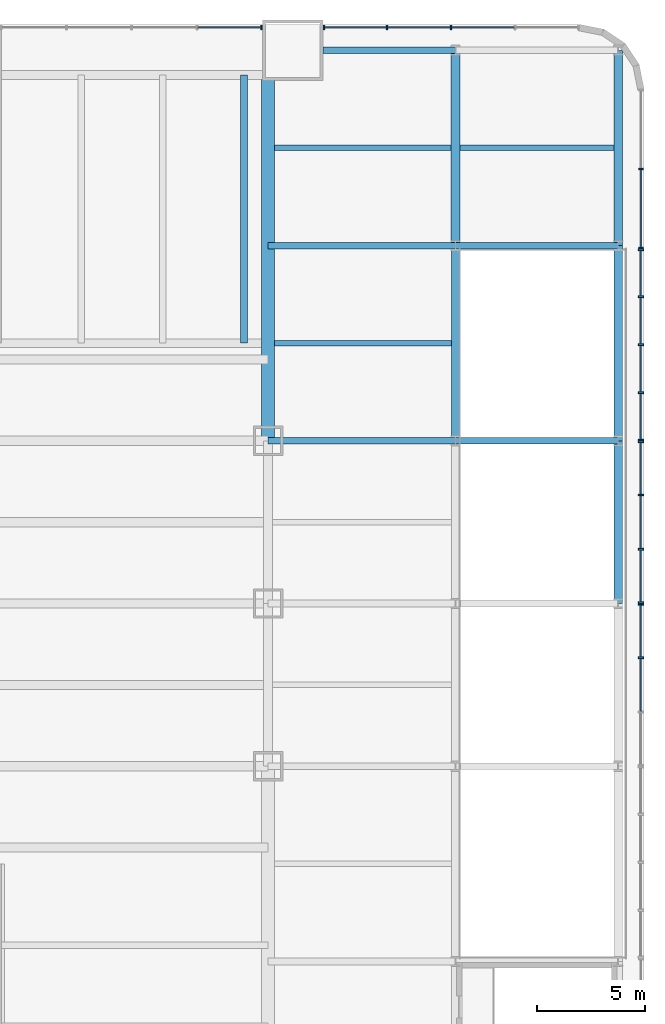
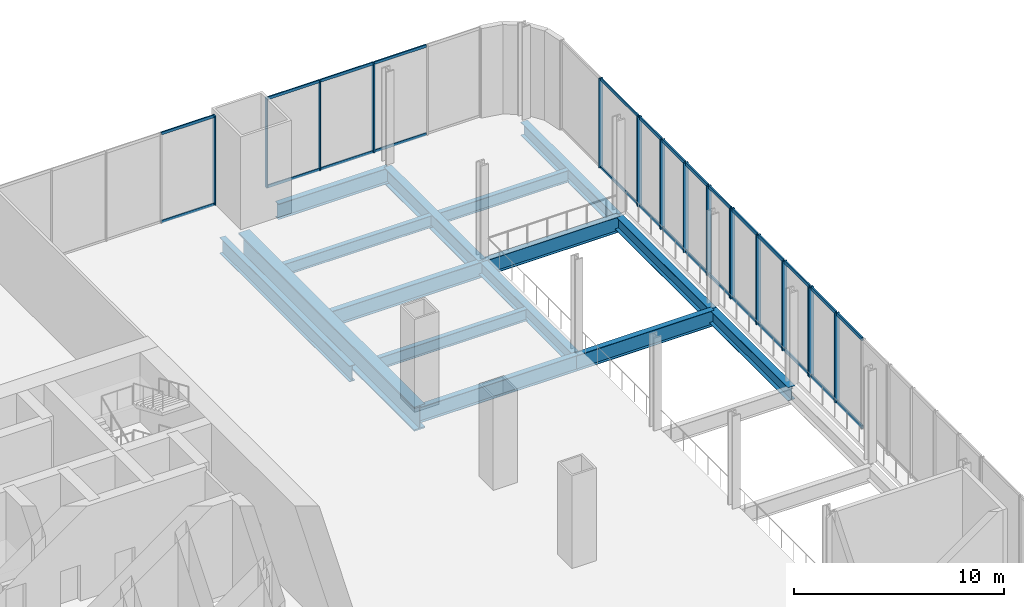
# One storey, part 10 of 17: 45 members, 15 beams, 6 elements without a shape of their own.
"""IFC4 building model written with IfcOpenShell, lengths in metres."""

from ifc_helpers import new_model, si_unit, direction, frame, origin, origin_2d, place, context, subcontext, project, spatial, rectangle, i_section, extrude, material, material_profile, profile_set, type_object, element, aggregate, save


model = new_model("IFC4")

# Units and contexts
model_context = context("Model", 3, precision=1e-05, world=origin(), true_north=direction((0.0, 1.0)))
body_context = subcontext(model_context, "Body", "Model", "MODEL_VIEW")
ifc_project = project(units=[si_unit("LENGTHUNIT", "METRE"), si_unit("AREAUNIT", "SQUARE_METRE"), si_unit("VOLUMEUNIT", "CUBIC_METRE"), si_unit("PLANEANGLEUNIT", "RADIAN"), si_unit("MASSUNIT", "GRAM", prefix="KILO")], contexts=[model_context])

# Site, building, storey
site_placement = place(None, origin())
site = spatial("IfcSite", under=ifc_project, at=site_placement, CompositionType="ELEMENT")
building_placement = place(site_placement, origin())
building = spatial("IfcBuilding", under=site, at=building_placement, Name="Tarangal Relay Tower", CompositionType="ELEMENT")
storey_placement = place(building_placement, frame((0.0, 0.0, 18.0)))
storey = spatial("IfcBuildingStorey", under=building, at=storey_placement, Name="L03", CompositionType="ELEMENT", Elevation=18.0)

# Beam
ifc_material_1 = material(Name="Steel ASTM A992", Category="steel")
ifc_material_profile_1 = material_profile(ifc_material_1, i_section(OverallWidth=0.307373046875, OverallDepth=0.927001953125, WebThickness=0.019287109375, FlangeThickness=0.031982421875, at=origin_2d()), Name="W36X194")
ifc_profile_set_1 = profile_set([ifc_material_profile_1], Name="Steel ASTM A992")
beam_type_1 = type_object("IfcBeamType", Name="Corner beam W36X194", PredefinedType="JOIST", material=ifc_profile_set_1)
beam_1_placement = place(storey_placement, frame((23.25, 12.0, -0.713623046875), z_axis=(0.0, 1.0, 0.0), x_axis=(-1.0, 0.0, 0.0)))
element("IfcBeam", 1, at=beam_1_placement, inside=storey, type_object=beam_type_1, Name="Corner beam CB10 N L03", PredefinedType="JOIST", context=body_context, shape_type="SweptSolid", body=[
    extrude(i_section(OverallWidth=0.307373046875, OverallDepth=0.927001953125, WebThickness=0.019287109375, FlangeThickness=0.031982421875, at=origin_2d()), origin(), (0.0, 0.0, 1.0), 12.364990234375),
])

# Curtain wall, members
ifc_material_2 = material(Name="Unitised curtain wall, dark glass and black aluminium", Category="aluminium")
curtain_wall_type_1 = type_object("IfcCurtainWallType", Name="Curtain wall CW-P", PredefinedType="USERDEFINED", material=ifc_material_2)
curtain_wall_1_placement = place(storey_placement, origin())
curtain_wall_1 = element("IfcCurtainWall", 2, at=curtain_wall_1_placement, inside=storey, type_object=curtain_wall_type_1, Name="Curtain wall CW-P Podium N facade L03", ObjectType="UNITISED CURTAIN WALL", PredefinedType="USERDEFINED")
ifc_material_3 = material(Name="Black anodised aluminium mullion", Category="aluminium")
ifc_material_profile_2 = material_profile(ifc_material_3, rectangle(XDim=0.199951171875, YDim=0.070068359375, at=origin_2d()), Name="CW-PM 70X200")
ifc_profile_set_2 = profile_set([ifc_material_profile_2], Name="Black anodised aluminium mullion")
member_type_1 = type_object("IfcMemberType", Name="Mullion CW-P 70 x 200", PredefinedType="MULLION", material=ifc_profile_set_2)
member_1_placement = place(storey_placement, frame((32.800048828125, 26.550048828125, 0.0), z_axis=(0.0, 0.0, 1.0), x_axis=(0.0, -1.0, 0.0)))
member_1 = element("IfcMember", 3, at=member_1_placement, type_object=member_type_1, Name="CW-P mullion 3", PredefinedType="MULLION", context=body_context, shape_type="SweptSolid", body=[
    extrude(rectangle(XDim=0.199951171875, YDim=0.070068359375, at=origin_2d()), origin(), (0.0, 0.0, 1.0), 5.199951171875),
])
member_2_placement = place(storey_placement, frame((29.85009765625, 26.550048828125, 0.0), z_axis=(0.0, 0.0, 1.0), x_axis=(0.0, -1.0, 0.0)))
member_2 = element("IfcMember", 4, at=member_2_placement, type_object=member_type_1, Name="CW-P mullion 4", PredefinedType="MULLION", context=body_context, shape_type="SweptSolid", body=[
    extrude(rectangle(XDim=0.199951171875, YDim=0.070068359375, at=origin_2d()), origin(), (0.0, 0.0, 1.0), 5.199951171875),
])
member_3_placement = place(storey_placement, frame((26.93505859375, 26.550048828125, 0.0), z_axis=(0.0, 0.0, 1.0), x_axis=(0.0, -1.0, 0.0)))
member_3 = element("IfcMember", 5, at=member_3_placement, type_object=member_type_1, Name="CW-P mullion 5", PredefinedType="MULLION", context=body_context, shape_type="SweptSolid", body=[
    extrude(rectangle(XDim=0.199951171875, YDim=0.070068359375, at=origin_2d()), origin(), (0.0, 0.0, 1.0), 5.199951171875),
])

# Curtain wall, member
curtain_wall_2_placement = place(storey_placement, origin())
curtain_wall_2 = element("IfcCurtainWall", 6, at=curtain_wall_2_placement, inside=storey, type_object=curtain_wall_type_1, Name="Curtain wall CW-P Podium N facade L03", ObjectType="UNITISED CURTAIN WALL", PredefinedType="USERDEFINED")
member_4_placement = place(storey_placement, frame((24.06494140625, 26.550048828125, 0.0), z_axis=(0.0, 0.0, 1.0), x_axis=(0.0, -1.0, 0.0)))
member_4 = element("IfcMember", 7, at=member_4_placement, type_object=member_type_1, Name="CW-P mullion 1", PredefinedType="MULLION", context=body_context, shape_type="SweptSolid", body=[
    extrude(rectangle(XDim=0.199951171875, YDim=0.070068359375, at=origin_2d()), origin(), (0.0, 0.0, 1.0), 5.199951171875),
])

# Curtain wall, members
curtain_wall_3_placement = place(storey_placement, origin())
curtain_wall_3 = element("IfcCurtainWall", 8, at=curtain_wall_3_placement, inside=storey, type_object=curtain_wall_type_1, Name="Curtain wall CW-P Podium E facade L03", ObjectType="UNITISED CURTAIN WALL", PredefinedType="USERDEFINED")
member_5_placement = place(storey_placement, frame((41.550048828125, 16.385009765625, 0.0), z_axis=(0.0, 0.0, 1.0), x_axis=(-1.0, 0.0, 0.0)))
member_5 = element("IfcMember", 9, at=member_5_placement, type_object=member_type_1, Name="CW-P mullion 1", PredefinedType="MULLION", context=body_context, shape_type="SweptSolid", body=[
    extrude(rectangle(XDim=0.199951171875, YDim=0.070068359375, at=origin_2d()), origin(), (0.0, 0.0, 1.0), 5.199951171875),
])
member_6_placement = place(storey_placement, frame((41.550048828125, 20.02490234375, 0.0), z_axis=(0.0, 0.0, 1.0), x_axis=(-1.0, 0.0, 0.0)))
member_6 = element("IfcMember", 10, at=member_6_placement, type_object=member_type_1, Name="CW-P mullion 2", PredefinedType="MULLION", context=body_context, shape_type="SweptSolid", body=[
    extrude(rectangle(XDim=0.199951171875, YDim=0.070068359375, at=origin_2d()), origin(), (0.0, 0.0, 1.0), 5.199951171875),
])

curtain_wall_type_2 = type_object("IfcCurtainWallType", Name="Curtain wall CW-T", PredefinedType="USERDEFINED", material=ifc_material_2)
curtain_wall_4_placement = place(storey_placement, origin())
curtain_wall_4 = element("IfcCurtainWall", 11, at=curtain_wall_4_placement, inside=storey, type_object=curtain_wall_type_2, Name="Curtain wall CW-T Podium E facade L03", ObjectType="UNITISED CURTAIN WALL", PredefinedType="USERDEFINED")
ifc_material_profile_3 = material_profile(ifc_material_3, rectangle(XDim=0.25, YDim=0.080078125, at=origin_2d()), Name="CW-TM 80X250")
ifc_profile_set_3 = profile_set([ifc_material_profile_3], Name="Black anodised aluminium mullion")
member_type_2 = type_object("IfcMemberType", Name="Mullion CW-T 80 x 250", PredefinedType="MULLION", material=ifc_profile_set_3)
member_7_placement = place(storey_placement, frame((41.550048828125, -2.5, 0.0), z_axis=(0.0, 0.0, 1.0), x_axis=(-1.0, 0.0, 0.0)))
member_7 = element("IfcMember", 12, at=member_7_placement, type_object=member_type_2, Name="CW-T mullion 3", PredefinedType="MULLION", context=body_context, shape_type="SweptSolid", body=[
    extrude(rectangle(XDim=0.25, YDim=0.080078125, at=origin_2d()), origin(), (0.0, 0.0, 1.0), 5.199951171875),
])
member_8_placement = place(storey_placement, frame((41.550048828125, -0.0400390625, 0.0), z_axis=(0.0, 0.0, 1.0), x_axis=(-1.0, 0.0, 0.0)))
member_8 = element("IfcMember", 13, at=member_8_placement, type_object=member_type_2, Name="CW-T mullion 4", PredefinedType="MULLION", context=body_context, shape_type="SweptSolid", body=[
    extrude(rectangle(XDim=0.25, YDim=0.080078125, at=origin_2d()), origin(), (0.0, 0.0, 1.0), 5.199951171875),
])

curtain_wall_5_placement = place(storey_placement, origin())
curtain_wall_5 = element("IfcCurtainWall", 14, at=curtain_wall_5_placement, inside=storey, type_object=curtain_wall_type_2, Name="Curtain wall CW-T Podium E facade L03", ObjectType="UNITISED CURTAIN WALL", PredefinedType="USERDEFINED")
member_9_placement = place(storey_placement, frame((41.550048828125, 0.0400390625, 0.0), z_axis=(0.0, 0.0, 1.0), x_axis=(-1.0, 0.0, 0.0)))
member_9 = element("IfcMember", 15, at=member_9_placement, type_object=member_type_2, Name="CW-T mullion 1", PredefinedType="MULLION", context=body_context, shape_type="SweptSolid", body=[
    extrude(rectangle(XDim=0.25, YDim=0.080078125, at=origin_2d()), origin(), (0.0, 0.0, 1.0), 5.199951171875),
])
member_10_placement = place(storey_placement, frame((41.550048828125, 2.5, 0.0), z_axis=(0.0, 0.0, 1.0), x_axis=(-1.0, 0.0, 0.0)))
member_10 = element("IfcMember", 16, at=member_10_placement, type_object=member_type_2, Name="CW-T mullion 2", PredefinedType="MULLION", context=body_context, shape_type="SweptSolid", body=[
    extrude(rectangle(XDim=0.25, YDim=0.080078125, at=origin_2d()), origin(), (0.0, 0.0, 1.0), 5.199951171875),
])
member_11_placement = place(storey_placement, frame((41.550048828125, 5.0, 0.0), z_axis=(0.0, 0.0, 1.0), x_axis=(-1.0, 0.0, 0.0)))
member_11 = element("IfcMember", 17, at=member_11_placement, type_object=member_type_2, Name="CW-T mullion 3", PredefinedType="MULLION", context=body_context, shape_type="SweptSolid", body=[
    extrude(rectangle(XDim=0.25, YDim=0.080078125, at=origin_2d()), origin(), (0.0, 0.0, 1.0), 5.199951171875),
])
member_12_placement = place(storey_placement, frame((41.550048828125, 7.4599609375, 0.0), z_axis=(0.0, 0.0, 1.0), x_axis=(-1.0, 0.0, 0.0)))
member_12 = element("IfcMember", 18, at=member_12_placement, type_object=member_type_2, Name="CW-T mullion 4", PredefinedType="MULLION", context=body_context, shape_type="SweptSolid", body=[
    extrude(rectangle(XDim=0.25, YDim=0.080078125, at=origin_2d()), origin(), (0.0, 0.0, 1.0), 5.199951171875),
])

curtain_wall_6_placement = place(storey_placement, origin())
curtain_wall_6 = element("IfcCurtainWall", 19, at=curtain_wall_6_placement, inside=storey, type_object=curtain_wall_type_2, Name="Curtain wall CW-T Podium E facade L03", ObjectType="UNITISED CURTAIN WALL", PredefinedType="USERDEFINED")
member_13_placement = place(storey_placement, frame((41.550048828125, 7.5400390625, 0.0), z_axis=(0.0, 0.0, 1.0), x_axis=(-1.0, 0.0, 0.0)))
member_13 = element("IfcMember", 20, at=member_13_placement, type_object=member_type_2, Name="CW-T mullion 1", PredefinedType="MULLION", context=body_context, shape_type="SweptSolid", body=[
    extrude(rectangle(XDim=0.25, YDim=0.080078125, at=origin_2d()), origin(), (0.0, 0.0, 1.0), 5.199951171875),
])
member_14_placement = place(storey_placement, frame((41.550048828125, 9.71240234375, 0.0), z_axis=(0.0, 0.0, 1.0), x_axis=(-1.0, 0.0, 0.0)))
member_14 = element("IfcMember", 21, at=member_14_placement, type_object=member_type_2, Name="CW-T mullion 2", PredefinedType="MULLION", context=body_context, shape_type="SweptSolid", body=[
    extrude(rectangle(XDim=0.25, YDim=0.080078125, at=origin_2d()), origin(), (0.0, 0.0, 1.0), 5.199951171875),
])
member_15_placement = place(storey_placement, frame((41.550048828125, 11.925048828125, 0.0), z_axis=(0.0, 0.0, 1.0), x_axis=(-1.0, 0.0, 0.0)))
member_15 = element("IfcMember", 22, at=member_15_placement, type_object=member_type_2, Name="CW-T mullion 3", PredefinedType="MULLION", context=body_context, shape_type="SweptSolid", body=[
    extrude(rectangle(XDim=0.25, YDim=0.080078125, at=origin_2d()), origin(), (0.0, 0.0, 1.0), 5.199951171875),
])
member_16_placement = place(storey_placement, frame((41.550048828125, 14.137451171875, 0.0), z_axis=(0.0, 0.0, 1.0), x_axis=(-1.0, 0.0, 0.0)))
member_16 = element("IfcMember", 23, at=member_16_placement, type_object=member_type_2, Name="CW-T mullion 4", PredefinedType="MULLION", context=body_context, shape_type="SweptSolid", body=[
    extrude(rectangle(XDim=0.25, YDim=0.080078125, at=origin_2d()), origin(), (0.0, 0.0, 1.0), 5.199951171875),
])
member_17_placement = place(storey_placement, frame((41.550048828125, 16.31005859375, 0.0), z_axis=(0.0, 0.0, 1.0), x_axis=(-1.0, 0.0, 0.0)))
member_17 = element("IfcMember", 24, at=member_17_placement, type_object=member_type_2, Name="CW-T mullion 5", PredefinedType="MULLION", context=body_context, shape_type="SweptSolid", body=[
    extrude(rectangle(XDim=0.25, YDim=0.080078125, at=origin_2d()), origin(), (0.0, 0.0, 1.0), 5.199951171875),
])

# Beams
ifc_material_profile_4 = material_profile(ifc_material_1, i_section(OverallWidth=0.3046875, OverallDepth=0.911865234375, WebThickness=0.015869140625, FlangeThickness=0.02392578125, at=origin_2d()), Name="W36X150")
ifc_profile_set_4 = profile_set([ifc_material_profile_4], Name="Steel ASTM A992")
beam_type_2 = type_object("IfcBeamType", Name="Podium beam W36X150", PredefinedType="BEAM", material=ifc_profile_set_4)
beam_2_placement = place(storey_placement, frame((24.364990234375, 7.5, -0.7060546875), z_axis=(1.0, 0.0, 0.0), x_axis=(0.0, 1.0, 0.0)))
element("IfcBeam", 25, at=beam_2_placement, inside=storey, type_object=beam_type_2, Name="Podium beam PB1 L03", PredefinedType="BEAM", context=body_context, shape_type="SweptSolid", body=[
    extrude(i_section(OverallWidth=0.3046875, OverallDepth=0.911865234375, WebThickness=0.015869140625, FlangeThickness=0.02392578125, at=origin_2d()), origin(), (0.0, 0.0, 1.0), 8.635009765625),
])
beam_3_placement = place(storey_placement, frame((33.0, 7.5, -0.7060546875), z_axis=(1.0, 0.0, 0.0), x_axis=(0.0, 1.0, 0.0)))
element("IfcBeam", 26, at=beam_3_placement, inside=storey, type_object=beam_type_2, Name="Podium beam PB1 L03", PredefinedType="BEAM", context=body_context, shape_type="SweptSolid", body=[
    extrude(i_section(OverallWidth=0.3046875, OverallDepth=0.911865234375, WebThickness=0.015869140625, FlangeThickness=0.02392578125, at=origin_2d()), origin(), (0.0, 0.0, 1.0), 7.5),
])
beam_4_placement = place(storey_placement, frame((24.364990234375, 16.5, -0.7060546875), z_axis=(1.0, 0.0, 0.0), x_axis=(0.0, 1.0, 0.0)))
element("IfcBeam", 27, at=beam_4_placement, inside=storey, type_object=beam_type_2, Name="Podium beam PB1 L03", PredefinedType="BEAM", context=body_context, shape_type="SweptSolid", body=[
    extrude(i_section(OverallWidth=0.3046875, OverallDepth=0.911865234375, WebThickness=0.015869140625, FlangeThickness=0.02392578125, at=origin_2d()), origin(), (0.0, 0.0, 1.0), 8.635009765625),
])
beam_5_placement = place(storey_placement, frame((33.0, 16.5, -0.7060546875), z_axis=(1.0, 0.0, 0.0), x_axis=(0.0, 1.0, 0.0)))
element("IfcBeam", 28, at=beam_5_placement, inside=storey, type_object=beam_type_2, Name="Podium beam PB1 L03", PredefinedType="BEAM", context=body_context, shape_type="SweptSolid", body=[
    extrude(i_section(OverallWidth=0.3046875, OverallDepth=0.911865234375, WebThickness=0.015869140625, FlangeThickness=0.02392578125, at=origin_2d()), origin(), (0.0, 0.0, 1.0), 7.5),
])
beam_6_placement = place(storey_placement, frame((26.89990234375, 25.5, -0.7060546875), z_axis=(1.0, 0.0, 0.0), x_axis=(0.0, 1.0, 0.0)))
element("IfcBeam", 29, at=beam_6_placement, inside=storey, type_object=beam_type_2, Name="Podium beam PB1 L03", PredefinedType="BEAM", context=body_context, shape_type="SweptSolid", body=[
    extrude(i_section(OverallWidth=0.3046875, OverallDepth=0.911865234375, WebThickness=0.015869140625, FlangeThickness=0.02392578125, at=origin_2d()), origin(), (0.0, 0.0, 1.0), 6.10009765625),
])
ifc_material_profile_5 = material_profile(ifc_material_1, i_section(OverallWidth=0.383544921875, OverallDepth=0.784912109375, WebThickness=0.019775390625, FlangeThickness=0.033447265625, at=origin_2d()), Name="W30X211")
ifc_profile_set_5 = profile_set([ifc_material_profile_5], Name="Steel ASTM A992")
beam_type_3 = type_object("IfcBeamType", Name="Podium girder W30X211", PredefinedType="BEAM", material=ifc_profile_set_5)
beam_7_placement = place(storey_placement, frame((33.0, 7.5, -0.642578125), z_axis=(0.0, 1.0, 0.0), x_axis=(-1.0, 0.0, 0.0)))
element("IfcBeam", 30, at=beam_7_placement, inside=storey, type_object=beam_type_3, Name="Podium girder PG1 L03", PredefinedType="BEAM", context=body_context, shape_type="SweptSolid", body=[
    extrude(i_section(OverallWidth=0.383544921875, OverallDepth=0.784912109375, WebThickness=0.019775390625, FlangeThickness=0.033447265625, at=origin_2d()), origin(), (0.0, 0.0, 1.0), 9.0),
])
beam_8_placement = place(storey_placement, frame((40.5, 0.0, -0.642578125), z_axis=(0.0, 1.0, 0.0), x_axis=(-1.0, 0.0, 0.0)))
element("IfcBeam", 31, at=beam_8_placement, inside=storey, type_object=beam_type_3, Name="Podium girder PG1 L03", PredefinedType="BEAM", context=body_context, shape_type="SweptSolid", body=[
    extrude(i_section(OverallWidth=0.383544921875, OverallDepth=0.784912109375, WebThickness=0.019775390625, FlangeThickness=0.033447265625, at=origin_2d()), origin(), (0.0, 0.0, 1.0), 7.5),
])
for number, where, z_axis, x_axis, name in (
    (32, (40.5, 7.5, -0.642578125), (0.0, 1.0, 0.0), (-1.0, 0.0, 0.0), "Podium girder PG1 L03"),
    (33, (40.5, 16.5, -0.642578125), (0.0, 1.0, 0.0), (-1.0, 0.0, 0.0), "Podium girder PG1 L03"),
):
    element("IfcBeam", number, at=place(storey_placement, frame(where, z_axis=z_axis, x_axis=x_axis)), inside=storey, type_object=beam_type_3, Name=name, PredefinedType="BEAM", context=body_context, shape_type="SweptSolid", body=[
        extrude(i_section(OverallWidth=0.383544921875, OverallDepth=0.784912109375, WebThickness=0.019775390625, FlangeThickness=0.033447265625, at=origin_2d()), origin(), (0.0, 0.0, 1.0), 9.0),
    ])
ifc_material_profile_6 = material_profile(ifc_material_1, i_section(OverallWidth=0.42431640625, OverallDepth=0.947509765625, WebThickness=0.02392578125, FlangeThickness=0.042724609375, at=origin_2d()), Name="W36X302")
ifc_profile_set_6 = profile_set([ifc_material_profile_6], Name="Steel ASTM A992")
beam_type_4 = type_object("IfcBeamType", Name="Podium girder W36X302", PredefinedType="BEAM", material=ifc_profile_set_6)
beam_9_placement = place(storey_placement, frame((33.0, 16.5, -0.7236328125), z_axis=(0.0, 1.0, 0.0), x_axis=(-1.0, 0.0, 0.0)))
element("IfcBeam", 34, at=beam_9_placement, inside=storey, type_object=beam_type_4, Name="Podium girder PG2 L03", PredefinedType="BEAM", context=body_context, shape_type="SweptSolid", body=[
    extrude(i_section(OverallWidth=0.42431640625, OverallDepth=0.947509765625, WebThickness=0.02392578125, FlangeThickness=0.042724609375, at=origin_2d()), origin(), (0.0, 0.0, 1.0), 9.0),
])
ifc_material_profile_7 = material_profile(ifc_material_1, i_section(OverallWidth=0.25390625, OverallDepth=0.683349609375, WebThickness=0.012451171875, FlangeThickness=0.018798828125, at=origin_2d()), Name="W27X94")
ifc_profile_set_7 = profile_set([ifc_material_profile_7], Name="Steel ASTM A992")
beam_type_5 = type_object("IfcBeamType", Name="Podium joist W27X94", PredefinedType="JOIST", material=ifc_profile_set_7)
beam_10_placement = place(storey_placement, frame((24.6650390625, 12.0, -0.591796875), z_axis=(1.0, 0.0, 0.0), x_axis=(0.0, 1.0, 0.0)))
element("IfcBeam", 35, at=beam_10_placement, inside=storey, type_object=beam_type_5, Name="Podium joist PJ1 L03", PredefinedType="JOIST", context=body_context, shape_type="SweptSolid", body=[
    extrude(i_section(OverallWidth=0.25390625, OverallDepth=0.683349609375, WebThickness=0.012451171875, FlangeThickness=0.018798828125, at=origin_2d()), origin(), (0.0, 0.0, 1.0), 8.14404296875),
])
beam_11_placement = place(storey_placement, frame((24.6650390625, 21.0, -0.591796875), z_axis=(1.0, 0.0, 0.0), x_axis=(0.0, 1.0, 0.0)))
element("IfcBeam", 36, at=beam_11_placement, inside=storey, type_object=beam_type_5, Name="Podium joist PJ1 L03", PredefinedType="JOIST", context=body_context, shape_type="SweptSolid", body=[
    extrude(i_section(OverallWidth=0.25390625, OverallDepth=0.683349609375, WebThickness=0.012451171875, FlangeThickness=0.018798828125, at=origin_2d()), origin(), (0.0, 0.0, 1.0), 8.123046875),
])
beam_12_placement = place(storey_placement, frame((33.2119140625, 21.0, -0.591796875), z_axis=(1.0, 0.0, 0.0), x_axis=(0.0, 1.0, 0.0)))
element("IfcBeam", 37, at=beam_12_placement, inside=storey, type_object=beam_type_5, Name="Podium joist PJ1 L03", PredefinedType="JOIST", context=body_context, shape_type="SweptSolid", body=[
    extrude(i_section(OverallWidth=0.25390625, OverallDepth=0.683349609375, WebThickness=0.012451171875, FlangeThickness=0.018798828125, at=origin_2d()), origin(), (0.0, 0.0, 1.0), 7.09716796875),
])
ifc_material_4 = material(Name="Steel ASTM A572 Grade 50", Category="steel")
ifc_material_profile_8 = material_profile(ifc_material_4, i_section(OverallWidth=0.60009765625, OverallDepth=1.39990234375, WebThickness=0.030029296875, FlangeThickness=0.080078125, at=origin_2d()), Name="PG1400X600X80X30")
ifc_profile_set_8 = profile_set([ifc_material_profile_8], Name="Steel ASTM A572 Grade 50")
beam_type_6 = type_object("IfcBeamType", Name="Transfer girder PG1400X600X80X30", PredefinedType="SPANDREL", material=ifc_profile_set_8)
beam_13_placement = place(storey_placement, frame((24.364990234375, 24.25, -0.949951171875), z_axis=(0.0, -1.0, 0.0), x_axis=(1.0, 0.0, 0.0)))
element("IfcBeam", 38, at=beam_13_placement, inside=storey, type_object=beam_type_6, Name="Transfer girder TG1 E L03", PredefinedType="SPANDREL", context=body_context, shape_type="SweptSolid", body=[
    extrude(i_section(OverallWidth=0.60009765625, OverallDepth=1.39990234375, WebThickness=0.030029296875, FlangeThickness=0.080078125, at=origin_2d()), origin(), (0.0, 0.0, 1.0), 16.75),
])

# Member
ifc_material_5 = material(Name="Black anodised aluminium transom", Category="aluminium")
ifc_material_profile_9 = material_profile(ifc_material_5, rectangle(XDim=0.070068359375, YDim=0.159912109375, at=origin_2d()), Name="CW-PT 70X160")
ifc_profile_set_9 = profile_set([ifc_material_profile_9], Name="Black anodised aluminium transom")
member_type_3 = type_object("IfcMemberType", Name="Transom CW-P 70 x 160", PredefinedType="USERDEFINED", material=ifc_profile_set_9)
member_18_placement = place(storey_placement, frame((35.715087890625, 26.550048828125, 0.034912109375), z_axis=(-1.0, 0.0, 0.0), x_axis=(0.0, -1.0, 0.0)))
member_18 = element("IfcMember", 39, at=member_18_placement, type_object=member_type_3, Name="CW-P transom 2.1", ObjectType="TRANSOM", PredefinedType="USERDEFINED", context=body_context, shape_type="SweptSolid", body=[
    extrude(rectangle(XDim=0.070068359375, YDim=0.159912109375, at=origin_2d()), origin(), (0.0, 0.0, 1.0), 2.880126953125),
])

member_19_placement = place(storey_placement, frame((35.715087890625, 26.550048828125, 5.1650390625), z_axis=(-1.0, 0.0, 0.0), x_axis=(0.0, -1.0, 0.0)))
member_19 = element("IfcMember", 40, at=member_19_placement, type_object=member_type_3, Name="CW-P transom 2.2", ObjectType="TRANSOM", PredefinedType="USERDEFINED", context=body_context, shape_type="SweptSolid", body=[
    extrude(rectangle(XDim=0.070068359375, YDim=0.159912109375, at=origin_2d()), origin(), (0.0, 0.0, 1.0), 2.880126953125),
])

member_20_placement = place(storey_placement, frame((32.764892578125, 26.550048828125, 0.034912109375), z_axis=(-1.0, 0.0, 0.0), x_axis=(0.0, -1.0, 0.0)))
member_20 = element("IfcMember", 41, at=member_20_placement, type_object=member_type_3, Name="CW-P transom 3.1", ObjectType="TRANSOM", PredefinedType="USERDEFINED", context=body_context, shape_type="SweptSolid", body=[
    extrude(rectangle(XDim=0.070068359375, YDim=0.159912109375, at=origin_2d()), origin(), (0.0, 0.0, 1.0), 2.8798828125),
])

member_21_placement = place(storey_placement, frame((32.764892578125, 26.550048828125, 5.1650390625), z_axis=(-1.0, 0.0, 0.0), x_axis=(0.0, -1.0, 0.0)))
member_21 = element("IfcMember", 42, at=member_21_placement, type_object=member_type_3, Name="CW-P transom 3.2", ObjectType="TRANSOM", PredefinedType="USERDEFINED", context=body_context, shape_type="SweptSolid", body=[
    extrude(rectangle(XDim=0.070068359375, YDim=0.159912109375, at=origin_2d()), origin(), (0.0, 0.0, 1.0), 2.8798828125),
])

member_22_placement = place(storey_placement, frame((29.81494140625, 26.550048828125, 0.034912109375), z_axis=(-1.0, 0.0, 0.0), x_axis=(0.0, -1.0, 0.0)))
member_22 = element("IfcMember", 43, at=member_22_placement, type_object=member_type_3, Name="CW-P transom 4.1", ObjectType="TRANSOM", PredefinedType="USERDEFINED", context=body_context, shape_type="SweptSolid", body=[
    extrude(rectangle(XDim=0.070068359375, YDim=0.159912109375, at=origin_2d()), origin(), (0.0, 0.0, 1.0), 2.844970703125),
])

member_23_placement = place(storey_placement, frame((29.81494140625, 26.550048828125, 5.1650390625), z_axis=(-1.0, 0.0, 0.0), x_axis=(0.0, -1.0, 0.0)))
member_23 = element("IfcMember", 44, at=member_23_placement, type_object=member_type_3, Name="CW-P transom 4.2", ObjectType="TRANSOM", PredefinedType="USERDEFINED", context=body_context, shape_type="SweptSolid", body=[
    extrude(rectangle(XDim=0.070068359375, YDim=0.159912109375, at=origin_2d()), origin(), (0.0, 0.0, 1.0), 2.844970703125),
])

aggregate(curtain_wall_1, [member_1, member_2, member_3, member_18, member_19, member_20, member_21, member_22, member_23])

member_24_placement = place(storey_placement, frame((24.030029296875, 26.550048828125, 0.034912109375), z_axis=(-1.0, 0.0, 0.0), x_axis=(0.0, -1.0, 0.0)))
member_24 = element("IfcMember", 45, at=member_24_placement, type_object=member_type_3, Name="CW-P transom 1.1", ObjectType="TRANSOM", PredefinedType="USERDEFINED", context=body_context, shape_type="SweptSolid", body=[
    extrude(rectangle(XDim=0.070068359375, YDim=0.159912109375, at=origin_2d()), origin(), (0.0, 0.0, 1.0), 2.907470703125),
])

member_25_placement = place(storey_placement, frame((24.030029296875, 26.550048828125, 5.1650390625), z_axis=(-1.0, 0.0, 0.0), x_axis=(0.0, -1.0, 0.0)))
member_25 = element("IfcMember", 46, at=member_25_placement, type_object=member_type_3, Name="CW-P transom 1.2", ObjectType="TRANSOM", PredefinedType="USERDEFINED", context=body_context, shape_type="SweptSolid", body=[
    extrude(rectangle(XDim=0.070068359375, YDim=0.159912109375, at=origin_2d()), origin(), (0.0, 0.0, 1.0), 2.907470703125),
])

aggregate(curtain_wall_2, [member_4, member_24, member_25])

member_26_placement = place(storey_placement, frame((41.550048828125, 16.419921875, 0.034912109375), z_axis=(0.0, 1.0, 0.0), x_axis=(-1.0, 0.0, 0.0)))
member_26 = element("IfcMember", 47, at=member_26_placement, type_object=member_type_3, Name="CW-P transom 1.1", ObjectType="TRANSOM", PredefinedType="USERDEFINED", context=body_context, shape_type="SweptSolid", body=[
    extrude(rectangle(XDim=0.070068359375, YDim=0.159912109375, at=origin_2d()), origin(), (0.0, 0.0, 1.0), 3.570068359375),
])

member_27_placement = place(storey_placement, frame((41.550048828125, 16.419921875, 5.1650390625), z_axis=(0.0, 1.0, 0.0), x_axis=(-1.0, 0.0, 0.0)))
member_27 = element("IfcMember", 48, at=member_27_placement, type_object=member_type_3, Name="CW-P transom 1.2", ObjectType="TRANSOM", PredefinedType="USERDEFINED", context=body_context, shape_type="SweptSolid", body=[
    extrude(rectangle(XDim=0.070068359375, YDim=0.159912109375, at=origin_2d()), origin(), (0.0, 0.0, 1.0), 3.570068359375),
])

aggregate(curtain_wall_3, [member_5, member_6, member_26, member_27])

ifc_material_profile_10 = material_profile(ifc_material_5, rectangle(XDim=0.080078125, YDim=0.199951171875, at=origin_2d()), Name="CW-TT 80X200")
ifc_profile_set_10 = profile_set([ifc_material_profile_10], Name="Black anodised aluminium transom")
member_type_4 = type_object("IfcMemberType", Name="Transom CW-T 80 x 200", PredefinedType="USERDEFINED", material=ifc_profile_set_10)
member_28_placement = place(storey_placement, frame((41.550048828125, -4.9599609375, 0.0400390625), z_axis=(0.0, 1.0, 0.0), x_axis=(-1.0, 0.0, 0.0)))
member_28 = element("IfcMember", 49, at=member_28_placement, type_object=member_type_4, Name="CW-T transom 2.1", ObjectType="TRANSOM", PredefinedType="USERDEFINED", context=body_context, shape_type="SweptSolid", body=[
    extrude(rectangle(XDim=0.080078125, YDim=0.199951171875, at=origin_2d()), origin(), (0.0, 0.0, 1.0), 2.419921875),
])

member_29_placement = place(storey_placement, frame((41.550048828125, -4.9599609375, 5.159912109375), z_axis=(0.0, 1.0, 0.0), x_axis=(-1.0, 0.0, 0.0)))
member_29 = element("IfcMember", 50, at=member_29_placement, type_object=member_type_4, Name="CW-T transom 2.2", ObjectType="TRANSOM", PredefinedType="USERDEFINED", context=body_context, shape_type="SweptSolid", body=[
    extrude(rectangle(XDim=0.080078125, YDim=0.199951171875, at=origin_2d()), origin(), (0.0, 0.0, 1.0), 2.419921875),
])

member_30_placement = place(storey_placement, frame((41.550048828125, -2.4599609375, 0.0400390625), z_axis=(0.0, 1.0, 0.0), x_axis=(-1.0, 0.0, 0.0)))
member_30 = element("IfcMember", 51, at=member_30_placement, type_object=member_type_4, Name="CW-T transom 3.1", ObjectType="TRANSOM", PredefinedType="USERDEFINED", context=body_context, shape_type="SweptSolid", body=[
    extrude(rectangle(XDim=0.080078125, YDim=0.199951171875, at=origin_2d()), origin(), (0.0, 0.0, 1.0), 2.3798828125),
])

member_31_placement = place(storey_placement, frame((41.550048828125, -2.4599609375, 5.159912109375), z_axis=(0.0, 1.0, 0.0), x_axis=(-1.0, 0.0, 0.0)))
member_31 = element("IfcMember", 52, at=member_31_placement, type_object=member_type_4, Name="CW-T transom 3.2", ObjectType="TRANSOM", PredefinedType="USERDEFINED", context=body_context, shape_type="SweptSolid", body=[
    extrude(rectangle(XDim=0.080078125, YDim=0.199951171875, at=origin_2d()), origin(), (0.0, 0.0, 1.0), 2.3798828125),
])

aggregate(curtain_wall_4, [member_7, member_8, member_28, member_29, member_30, member_31])

member_32_placement = place(storey_placement, frame((41.550048828125, 0.080078125, 0.0400390625), z_axis=(0.0, 1.0, 0.0), x_axis=(-1.0, 0.0, 0.0)))
member_32 = element("IfcMember", 53, at=member_32_placement, type_object=member_type_4, Name="CW-T transom 1.1", ObjectType="TRANSOM", PredefinedType="USERDEFINED", context=body_context, shape_type="SweptSolid", body=[
    extrude(rectangle(XDim=0.080078125, YDim=0.199951171875, at=origin_2d()), origin(), (0.0, 0.0, 1.0), 2.3798828125),
])

member_33_placement = place(storey_placement, frame((41.550048828125, 0.080078125, 5.159912109375), z_axis=(0.0, 1.0, 0.0), x_axis=(-1.0, 0.0, 0.0)))
member_33 = element("IfcMember", 54, at=member_33_placement, type_object=member_type_4, Name="CW-T transom 1.2", ObjectType="TRANSOM", PredefinedType="USERDEFINED", context=body_context, shape_type="SweptSolid", body=[
    extrude(rectangle(XDim=0.080078125, YDim=0.199951171875, at=origin_2d()), origin(), (0.0, 0.0, 1.0), 2.3798828125),
])

member_34_placement = place(storey_placement, frame((41.550048828125, 2.5400390625, 0.0400390625), z_axis=(0.0, 1.0, 0.0), x_axis=(-1.0, 0.0, 0.0)))
member_34 = element("IfcMember", 55, at=member_34_placement, type_object=member_type_4, Name="CW-T transom 2.1", ObjectType="TRANSOM", PredefinedType="USERDEFINED", context=body_context, shape_type="SweptSolid", body=[
    extrude(rectangle(XDim=0.080078125, YDim=0.199951171875, at=origin_2d()), origin(), (0.0, 0.0, 1.0), 2.419921875),
])

member_35_placement = place(storey_placement, frame((41.550048828125, 2.5400390625, 5.159912109375), z_axis=(0.0, 1.0, 0.0), x_axis=(-1.0, 0.0, 0.0)))
member_35 = element("IfcMember", 56, at=member_35_placement, type_object=member_type_4, Name="CW-T transom 2.2", ObjectType="TRANSOM", PredefinedType="USERDEFINED", context=body_context, shape_type="SweptSolid", body=[
    extrude(rectangle(XDim=0.080078125, YDim=0.199951171875, at=origin_2d()), origin(), (0.0, 0.0, 1.0), 2.419921875),
])

member_36_placement = place(storey_placement, frame((41.550048828125, 5.0400390625, 0.0400390625), z_axis=(0.0, 1.0, 0.0), x_axis=(-1.0, 0.0, 0.0)))
member_36 = element("IfcMember", 57, at=member_36_placement, type_object=member_type_4, Name="CW-T transom 3.1", ObjectType="TRANSOM", PredefinedType="USERDEFINED", context=body_context, shape_type="SweptSolid", body=[
    extrude(rectangle(XDim=0.080078125, YDim=0.199951171875, at=origin_2d()), origin(), (0.0, 0.0, 1.0), 2.3798828125),
])

member_37_placement = place(storey_placement, frame((41.550048828125, 5.0400390625, 5.159912109375), z_axis=(0.0, 1.0, 0.0), x_axis=(-1.0, 0.0, 0.0)))
member_37 = element("IfcMember", 58, at=member_37_placement, type_object=member_type_4, Name="CW-T transom 3.2", ObjectType="TRANSOM", PredefinedType="USERDEFINED", context=body_context, shape_type="SweptSolid", body=[
    extrude(rectangle(XDim=0.080078125, YDim=0.199951171875, at=origin_2d()), origin(), (0.0, 0.0, 1.0), 2.3798828125),
])

aggregate(curtain_wall_5, [member_9, member_10, member_11, member_12, member_32, member_33, member_34, member_35, member_36, member_37])

member_38_placement = place(storey_placement, frame((41.550048828125, 7.580078125, 0.0400390625), z_axis=(0.0, 1.0, 0.0), x_axis=(-1.0, 0.0, 0.0)))
member_38 = element("IfcMember", 59, at=member_38_placement, type_object=member_type_4, Name="CW-T transom 1.1", ObjectType="TRANSOM", PredefinedType="USERDEFINED", context=body_context, shape_type="SweptSolid", body=[
    extrude(rectangle(XDim=0.080078125, YDim=0.199951171875, at=origin_2d()), origin(), (0.0, 0.0, 1.0), 2.092529296875),
])

member_39_placement = place(storey_placement, frame((41.550048828125, 7.580078125, 5.159912109375), z_axis=(0.0, 1.0, 0.0), x_axis=(-1.0, 0.0, 0.0)))
member_39 = element("IfcMember", 60, at=member_39_placement, type_object=member_type_4, Name="CW-T transom 1.2", ObjectType="TRANSOM", PredefinedType="USERDEFINED", context=body_context, shape_type="SweptSolid", body=[
    extrude(rectangle(XDim=0.080078125, YDim=0.199951171875, at=origin_2d()), origin(), (0.0, 0.0, 1.0), 2.092529296875),
])

member_40_placement = place(storey_placement, frame((41.550048828125, 9.75244140625, 0.0400390625), z_axis=(0.0, 1.0, 0.0), x_axis=(-1.0, 0.0, 0.0)))
member_40 = element("IfcMember", 61, at=member_40_placement, type_object=member_type_4, Name="CW-T transom 2.1", ObjectType="TRANSOM", PredefinedType="USERDEFINED", context=body_context, shape_type="SweptSolid", body=[
    extrude(rectangle(XDim=0.080078125, YDim=0.199951171875, at=origin_2d()), origin(), (0.0, 0.0, 1.0), 2.132568359375),
])

member_41_placement = place(storey_placement, frame((41.550048828125, 9.75244140625, 5.159912109375), z_axis=(0.0, 1.0, 0.0), x_axis=(-1.0, 0.0, 0.0)))
member_41 = element("IfcMember", 62, at=member_41_placement, type_object=member_type_4, Name="CW-T transom 2.2", ObjectType="TRANSOM", PredefinedType="USERDEFINED", context=body_context, shape_type="SweptSolid", body=[
    extrude(rectangle(XDim=0.080078125, YDim=0.199951171875, at=origin_2d()), origin(), (0.0, 0.0, 1.0), 2.132568359375),
])

member_42_placement = place(storey_placement, frame((41.550048828125, 11.965087890625, 0.0400390625), z_axis=(0.0, 1.0, 0.0), x_axis=(-1.0, 0.0, 0.0)))
member_42 = element("IfcMember", 63, at=member_42_placement, type_object=member_type_4, Name="CW-T transom 3.1", ObjectType="TRANSOM", PredefinedType="USERDEFINED", context=body_context, shape_type="SweptSolid", body=[
    extrude(rectangle(XDim=0.080078125, YDim=0.199951171875, at=origin_2d()), origin(), (0.0, 0.0, 1.0), 2.13232421875),
])

member_43_placement = place(storey_placement, frame((41.550048828125, 11.965087890625, 5.159912109375), z_axis=(0.0, 1.0, 0.0), x_axis=(-1.0, 0.0, 0.0)))
member_43 = element("IfcMember", 64, at=member_43_placement, type_object=member_type_4, Name="CW-T transom 3.2", ObjectType="TRANSOM", PredefinedType="USERDEFINED", context=body_context, shape_type="SweptSolid", body=[
    extrude(rectangle(XDim=0.080078125, YDim=0.199951171875, at=origin_2d()), origin(), (0.0, 0.0, 1.0), 2.13232421875),
])

member_44_placement = place(storey_placement, frame((41.550048828125, 14.177490234375, 0.0400390625), z_axis=(0.0, 1.0, 0.0), x_axis=(-1.0, 0.0, 0.0)))
member_44 = element("IfcMember", 65, at=member_44_placement, type_object=member_type_4, Name="CW-T transom 4.1", ObjectType="TRANSOM", PredefinedType="USERDEFINED", context=body_context, shape_type="SweptSolid", body=[
    extrude(rectangle(XDim=0.080078125, YDim=0.199951171875, at=origin_2d()), origin(), (0.0, 0.0, 1.0), 2.092529296875),
])

member_45_placement = place(storey_placement, frame((41.550048828125, 14.177490234375, 5.159912109375), z_axis=(0.0, 1.0, 0.0), x_axis=(-1.0, 0.0, 0.0)))
member_45 = element("IfcMember", 66, at=member_45_placement, type_object=member_type_4, Name="CW-T transom 4.2", ObjectType="TRANSOM", PredefinedType="USERDEFINED", context=body_context, shape_type="SweptSolid", body=[
    extrude(rectangle(XDim=0.080078125, YDim=0.199951171875, at=origin_2d()), origin(), (0.0, 0.0, 1.0), 2.092529296875),
])

aggregate(curtain_wall_6, [member_13, member_14, member_15, member_16, member_17, member_38, member_39, member_40, member_41, member_42, member_43, member_44, member_45])

save(model, "model.ifc")
